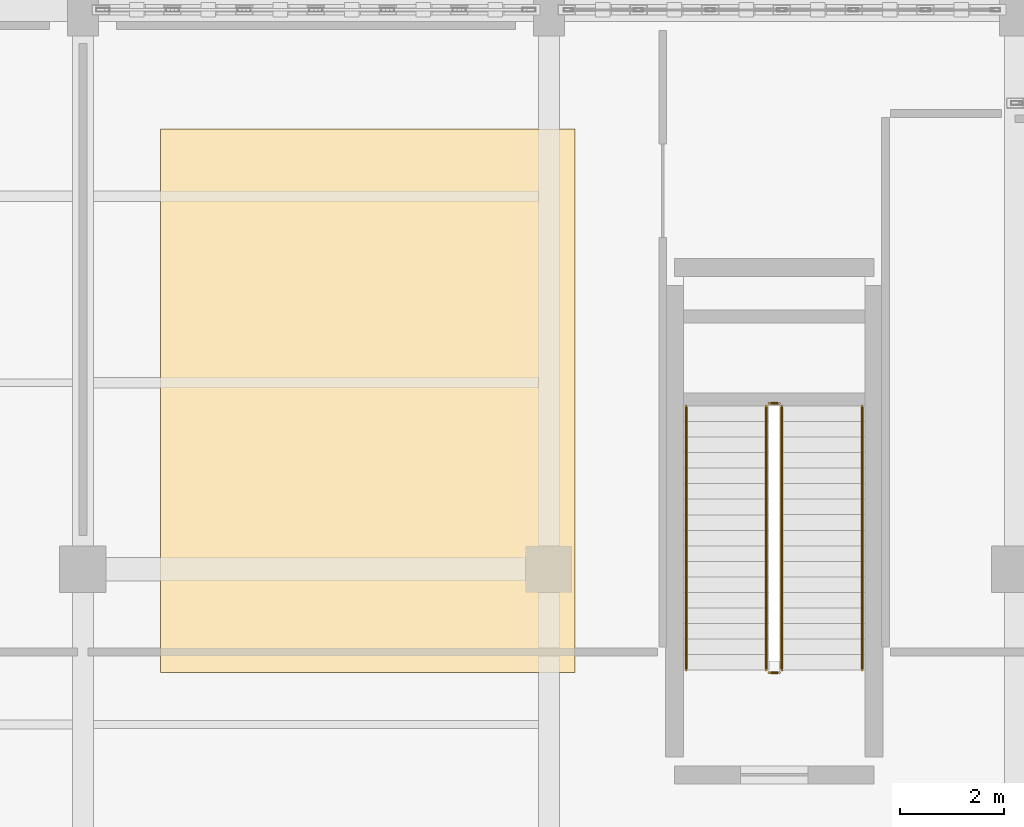
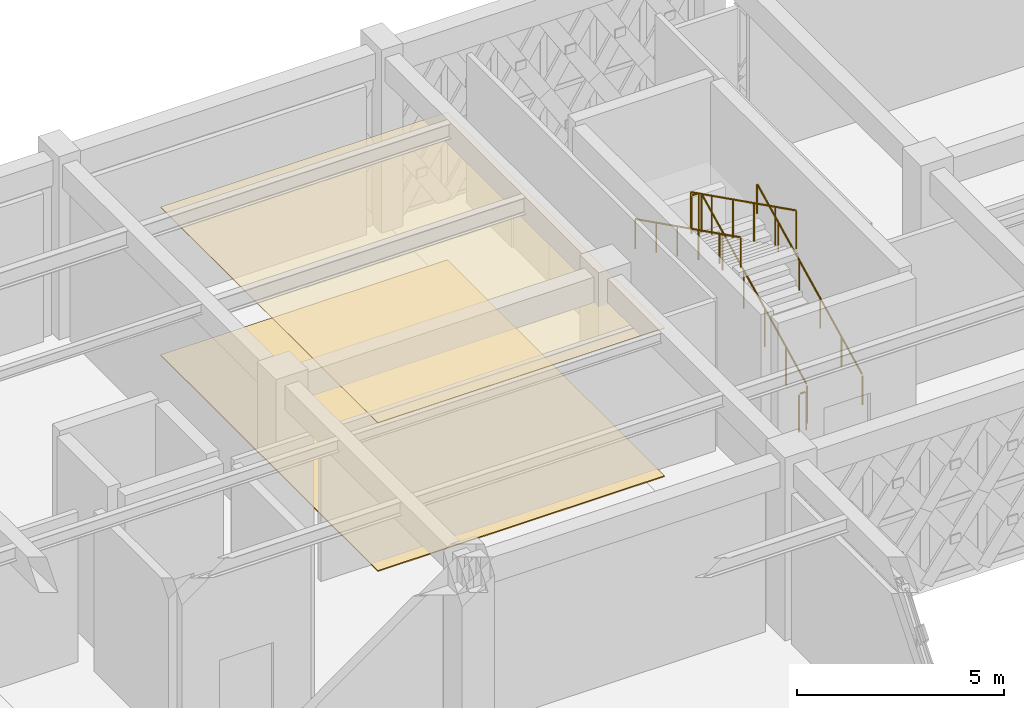
# One storey, part 164 of 166: 6 railings, 2 coverings.
"""IFC4 building model written with IfcOpenShell, lengths in metres."""

from ifc_helpers import new_model, si_unit, direction, frame, origin, origin_2d, place, context, subcontext, project, spatial, polyline, circle, outline, extrude, material, layer, layer_set, type_object, element, save


model = new_model("IFC4")

# Units and contexts
model_context = context("Model", 3, precision=1e-05, world=origin(), true_north=direction((0.0, 1.0)))
body_context = subcontext(model_context, "Body", "Model", "MODEL_VIEW")
ifc_project = project(units=[si_unit("LENGTHUNIT", "METRE"), si_unit("AREAUNIT", "SQUARE_METRE"), si_unit("VOLUMEUNIT", "CUBIC_METRE"), si_unit("PLANEANGLEUNIT", "RADIAN"), si_unit("MASSUNIT", "GRAM", prefix="KILO")], contexts=[model_context])

# Site, building, storey
site_placement = place(None, origin())
site = spatial("IfcSite", under=ifc_project, at=site_placement, CompositionType="ELEMENT")
building_placement = place(site_placement, origin())
building = spatial("IfcBuilding", under=site, at=building_placement, Name="Haizhuo Lancet Aquarium", CompositionType="ELEMENT")
storey_placement = place(building_placement, frame((0.0, 0.0, 5.39990234375)))
storey = spatial("IfcBuildingStorey", under=building, at=storey_placement, Name="L01", CompositionType="ELEMENT", Elevation=5.39990234375)

# Coverings
ifc_material_1 = material(Name="Acoustic Mineral Fibre Board")
ifc_layer_1 = layer(ifc_material_1, 0.02490234375)
ifc_layer_set_1 = layer_set([ifc_layer_1], Name="Acoustic Mineral Fibre Board")
covering_type_1 = type_object("IfcCoveringType", Name="COV-CLG-ACU", PredefinedType="CEILING", material=ifc_layer_set_1)
covering_1_placement = place(storey_placement, frame((0.0, 0.0, 4.364990234375)))
element("IfcCovering", 1, at=covering_1_placement, inside=storey, type_object=covering_type_1, Name="L01 V5 acoustic suspended ceiling 7", PredefinedType="CEILING", context=body_context, shape_type="SweptSolid", body=[
    extrude(outline(polyline([(1.5, 43.0), (9.5, 43.0), (9.5, 53.5), (1.5, 53.5), (1.5, 43.0)])), origin(), (0.0, 0.0, 1.0), 0.025146484375),
])
ifc_material_2 = material(Name="Shandong Grey Limestone Ashlar", Category="masonry")
ifc_layer_2 = layer(ifc_material_2, 0.030029296875)
ifc_layer_set_2 = layer_set([ifc_layer_2], Name="Shandong Grey Limestone Ashlar")
covering_type_2 = type_object("IfcCoveringType", Name="COV-FLR-STN", PredefinedType="FLOORING", material=ifc_layer_set_2)
covering_2_placement = place(storey_placement, origin())
element("IfcCovering", 2, at=covering_2_placement, inside=storey, type_object=covering_type_2, Name="L01 V5 limestone floor finish 7", PredefinedType="FLOORING", context=body_context, shape_type="SweptSolid", body=[
    extrude(outline(polyline([(1.5, 43.0), (9.5, 43.0), (9.5, 53.5), (1.5, 53.5), (1.5, 43.0)])), origin(), (0.0, 0.0, 1.0), 0.030029296875),
])

# Railings
ifc_material_3 = material(Name="Steel S355", Category="steel")
railing_type_1 = type_object("IfcRailingType", Name="RL-GRD-1150", PredefinedType="GUARDRAIL", material=ifc_material_3)
railing_1_placement = place(storey_placement, frame((13.5, 43.050048828125, 0.150146484375)))
element("IfcRailing", 3, at=railing_1_placement, inside=storey, type_object=railing_type_1, Name="L01 ST-08 stair guard 1", PredefinedType="GUARDRAIL", context=body_context, shape_type="SweptSolid", body=[
    extrude(circle(Radius=0.02392578125, at=origin_2d()), frame((0.0, 0.02685546875, 1.13916015625), z_axis=(0.0, 0.894418627299, 0.447230722492), x_axis=(-1.0, 0.0, 0.0)), (0.0, 0.0, 1.0), 5.641845703125),
    extrude(circle(Radius=0.02099609375, at=origin_2d()), origin(), (0.0, 0.0, 1.0), 1.097900390625),
    extrude(circle(Radius=0.02099609375, at=origin_2d()), frame((0.0, 1.02001953125, 0.510009765625)), (0.0, 0.0, 1.0), 1.097900390625),
    extrude(circle(Radius=0.02099609375, at=origin_2d()), frame((0.0, 2.0400390625, 1.02001953125)), (0.0, 0.0, 1.0), 1.097900390625),
    extrude(circle(Radius=0.02099609375, at=origin_2d()), frame((0.0, 3.059814453125, 1.530029296875)), (0.0, 0.0, 1.0), 1.097900390625),
    extrude(circle(Radius=0.02099609375, at=origin_2d()), frame((0.0, 4.079833984375, 2.0400390625)), (0.0, 0.0, 1.0), 1.097900390625),
    extrude(circle(Radius=0.02099609375, at=origin_2d()), frame((0.0, 5.099853515625, 2.550048828125)), (0.0, 0.0, 1.0), 1.097900390625),
])
railing_2_placement = place(storey_placement, frame((13.449951171875, 48.199951171875, 2.7001953125)))
element("IfcRailing", 4, at=railing_2_placement, inside=storey, type_object=railing_type_1, Name="L01 ST-08 stair guard 2", PredefinedType="GUARDRAIL", context=body_context, shape_type="SweptSolid", body=[
    extrude(circle(Radius=0.02392578125, at=origin_2d()), frame((-0.030029296875, 0.0, 1.1259765625), z_axis=(-1.0, 0.0, 0.0), x_axis=(0.0, -1.0, 0.0)), (0.0, 0.0, 1.0), 0.139892578125),
    extrude(circle(Radius=0.02099609375, at=origin_2d()), origin(), (0.0, 0.0, 1.0), 1.097900390625),
    extrude(circle(Radius=0.02099609375, at=origin_2d()), frame((-0.199951171875, 0.0, 0.0)), (0.0, 0.0, 1.0), 1.097900390625),
])
railing_3_placement = place(storey_placement, frame((13.199951171875, 48.14990234375, 2.85009765625)))
element("IfcRailing", 5, at=railing_3_placement, inside=storey, type_object=railing_type_1, Name="L01 ST-08 stair guard 3", PredefinedType="GUARDRAIL", context=body_context, shape_type="SweptSolid", body=[
    extrude(circle(Radius=0.02392578125, at=origin_2d()), frame((0.0, -0.02685546875, 1.13916015625), z_axis=(0.0, -0.894418627299, 0.447230722492), x_axis=(1.0, 0.0, 0.0)), (0.0, 0.0, 1.0), 5.641845703125),
    extrude(circle(Radius=0.02099609375, at=origin_2d()), origin(), (0.0, 0.0, 1.0), 1.097900390625),
    extrude(circle(Radius=0.02099609375, at=origin_2d()), frame((0.0, -1.02001953125, 0.510009765625)), (0.0, 0.0, 1.0), 1.097900390625),
    extrude(circle(Radius=0.02099609375, at=origin_2d()), frame((0.0, -2.0400390625, 1.02001953125)), (0.0, 0.0, 1.0), 1.097900390625),
    extrude(circle(Radius=0.02099609375, at=origin_2d()), frame((0.0, -3.059814453125, 1.530029296875)), (0.0, 0.0, 1.0), 1.097900390625),
    extrude(circle(Radius=0.02099609375, at=origin_2d()), frame((0.0, -4.079833984375, 2.0400390625)), (0.0, 0.0, 1.0), 1.097900390625),
    extrude(circle(Radius=0.02099609375, at=origin_2d()), frame((0.0, -5.099853515625, 2.550048828125)), (0.0, 0.0, 1.0), 1.097900390625),
])
railing_4_placement = place(storey_placement, frame((13.449951171875, 43.0, 0.0)))
element("IfcRailing", 6, at=railing_4_placement, inside=storey, type_object=railing_type_1, Name="L01 ST-08 stair guard 4", PredefinedType="GUARDRAIL", context=body_context, shape_type="SweptSolid", body=[
    extrude(circle(Radius=0.02392578125, at=origin_2d()), frame((-0.030029296875, 0.0, 1.1259765625), z_axis=(-1.0, 0.0, 0.0), x_axis=(0.0, -1.0, 0.0)), (0.0, 0.0, 1.0), 0.139892578125),
    extrude(circle(Radius=0.02099609375, at=origin_2d()), origin(), (0.0, 0.0, 1.0), 1.097900390625),
    extrude(circle(Radius=0.02099609375, at=origin_2d()), frame((-0.199951171875, 0.0, 0.0)), (0.0, 0.0, 1.0), 1.097900390625),
])
railing_type_2 = type_object("IfcRailingType", Name="RL-HDR-900", PredefinedType="HANDRAIL", material=ifc_material_3)
railing_5_placement = place(storey_placement, frame((15.050048828125, 43.050048828125, 0.150146484375)))
element("IfcRailing", 7, at=railing_5_placement, inside=storey, type_object=railing_type_2, Name="L01 ST-08 pitch handrail 1", PredefinedType="HANDRAIL", context=body_context, shape_type="SweptSolid", body=[
    extrude(circle(Radius=0.02392578125, at=origin_2d()), frame((0.0, 0.02685546875, 0.88916015625), z_axis=(0.0, 0.894418627299, 0.447230722492), x_axis=(-1.0, 0.0, 0.0)), (0.0, 0.0, 1.0), 5.641845703125),
    extrude(circle(Radius=0.02099609375, at=origin_2d()), origin(), (0.0, 0.0, 1.0), 0.847900390625),
    extrude(circle(Radius=0.02099609375, at=origin_2d()), frame((0.0, 1.02001953125, 0.510009765625)), (0.0, 0.0, 1.0), 0.847900390625),
    extrude(circle(Radius=0.02099609375, at=origin_2d()), frame((0.0, 2.0400390625, 1.02001953125)), (0.0, 0.0, 1.0), 0.847900390625),
    extrude(circle(Radius=0.02099609375, at=origin_2d()), frame((0.0, 3.059814453125, 1.530029296875)), (0.0, 0.0, 1.0), 0.847900390625),
    extrude(circle(Radius=0.02099609375, at=origin_2d()), frame((0.0, 4.079833984375, 2.0400390625)), (0.0, 0.0, 1.0), 0.847900390625),
    extrude(circle(Radius=0.02099609375, at=origin_2d()), frame((0.0, 5.099853515625, 2.550048828125)), (0.0, 0.0, 1.0), 0.847900390625),
])
railing_6_placement = place(storey_placement, frame((11.64990234375, 48.14990234375, 2.85009765625)))
element("IfcRailing", 8, at=railing_6_placement, inside=storey, type_object=railing_type_2, Name="L01 ST-08 pitch handrail 2", PredefinedType="HANDRAIL", context=body_context, shape_type="SweptSolid", body=[
    extrude(circle(Radius=0.02392578125, at=origin_2d()), frame((0.0, -0.02685546875, 0.88916015625), z_axis=(0.0, -0.894418627299, 0.447230722492), x_axis=(1.0, 0.0, 0.0)), (0.0, 0.0, 1.0), 5.641845703125),
    extrude(circle(Radius=0.02099609375, at=origin_2d()), origin(), (0.0, 0.0, 1.0), 0.847900390625),
    extrude(circle(Radius=0.02099609375, at=origin_2d()), frame((0.0, -1.02001953125, 0.510009765625)), (0.0, 0.0, 1.0), 0.847900390625),
    extrude(circle(Radius=0.02099609375, at=origin_2d()), frame((0.0, -2.0400390625, 1.02001953125)), (0.0, 0.0, 1.0), 0.847900390625),
    extrude(circle(Radius=0.02099609375, at=origin_2d()), frame((0.0, -3.059814453125, 1.530029296875)), (0.0, 0.0, 1.0), 0.847900390625),
    extrude(circle(Radius=0.02099609375, at=origin_2d()), frame((0.0, -4.079833984375, 2.0400390625)), (0.0, 0.0, 1.0), 0.847900390625),
    extrude(circle(Radius=0.02099609375, at=origin_2d()), frame((0.0, -5.099853515625, 2.550048828125)), (0.0, 0.0, 1.0), 0.847900390625),
])

save(model, "model.ifc")
